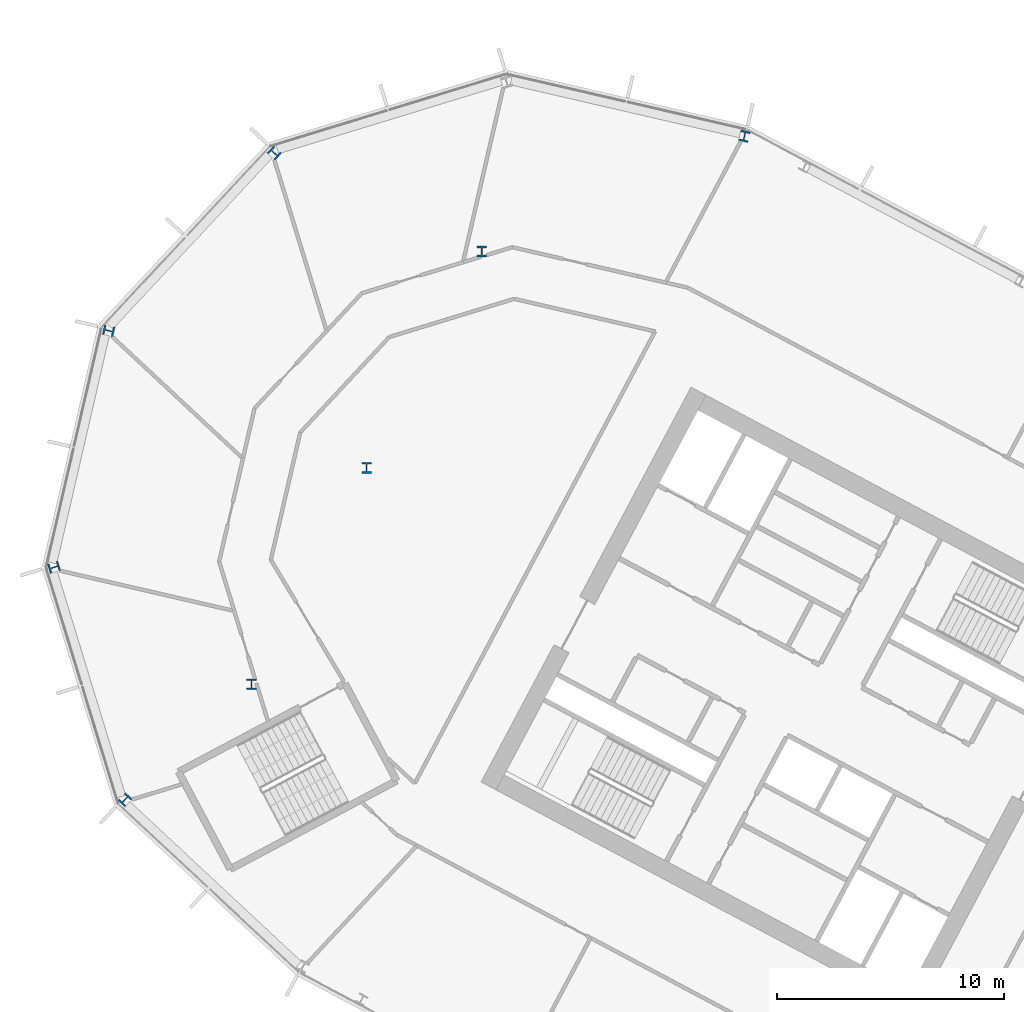
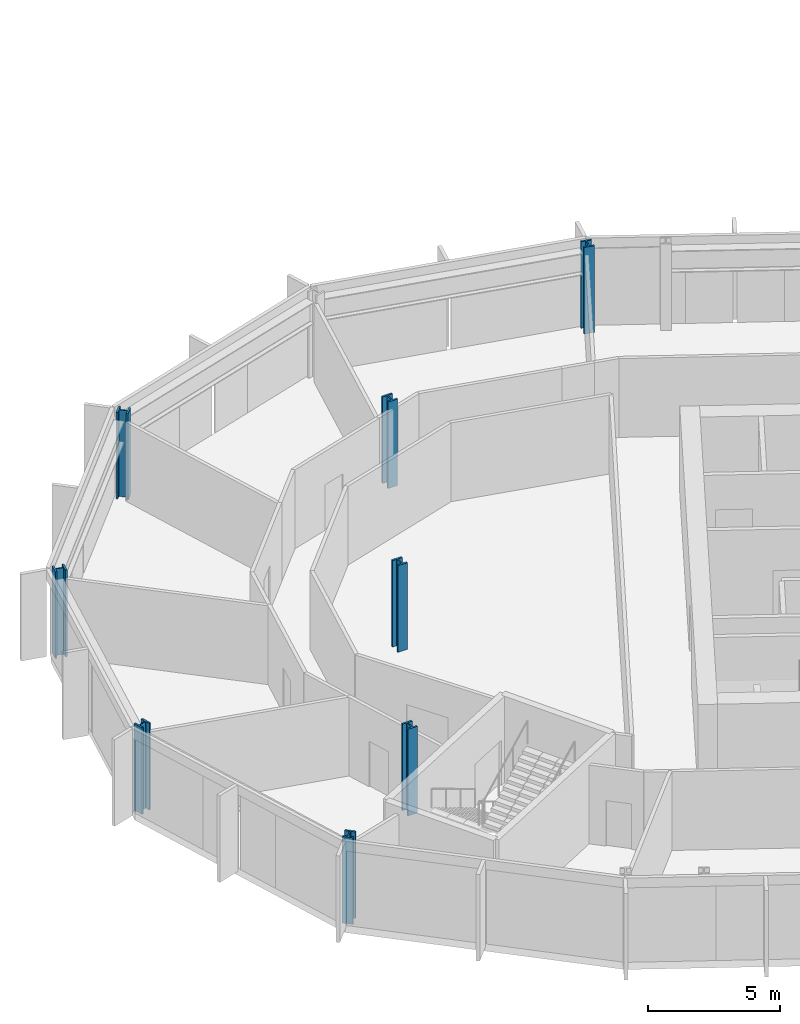
# One storey, part 3 of 28: 8 columns.
"""IFC4 building model written with IfcOpenShell, lengths in metres."""

from ifc_helpers import new_model, si_unit, direction, frame, origin, origin_2d, place, context, subcontext, project, spatial, i_section, extrude, material, material_profile, profile_set, type_object, element, save


model = new_model("IFC4")

# Units and contexts
model_context = context("Model", 3, precision=1e-05, world=origin(), true_north=direction((0.0, 1.0)))
body_context = subcontext(model_context, "Body", "Model", "MODEL_VIEW")
ifc_project = project(units=[si_unit("LENGTHUNIT", "METRE"), si_unit("AREAUNIT", "SQUARE_METRE"), si_unit("VOLUMEUNIT", "CUBIC_METRE"), si_unit("PLANEANGLEUNIT", "RADIAN"), si_unit("MASSUNIT", "GRAM", prefix="KILO")], contexts=[model_context])

# Site, building, storey
site_placement = place(None, origin())
site = spatial("IfcSite", under=ifc_project, at=site_placement, CompositionType="ELEMENT")
building_placement = place(site_placement, origin())
building = spatial("IfcBuilding", under=site, at=building_placement, Name="Cormorant Relay Tower", CompositionType="ELEMENT")
storey_placement = place(building_placement, frame((0.0, 0.0, 146.199951171875)))
storey = spatial("IfcBuildingStorey", under=building, at=storey_placement, Name="L30", CompositionType="ELEMENT", Elevation=146.199951171875)

# Columns
ifc_material = material(Name="Steel ASTM A992 (Fy 345 MPa)", Category="steel")
ifc_material_profile = material_profile(ifc_material, i_section(OverallWidth=0.42431640625, OverallDepth=0.47509765625, WebThickness=0.0478515625, FlangeThickness=0.0771484375, FilletRadius=0.014892578125, at=origin_2d()), Name="W360x634")
ifc_profile_set = profile_set([ifc_material_profile], Name="Steel ASTM A992 (Fy 345 MPa)")
column_type = type_object("IfcColumnType", Name="Column W360x634", PredefinedType="COLUMN", material=ifc_profile_set)
for number, where, z_axis, x_axis, name in (
    (1, (-57.261962890625, 10.173095703125, 0.0), (0.0, 0.0, 1.0), (0.731353701619, -0.681998360062, 0.0), "Column L30-022"),
    (2, (-51.68994140625, 15.251953125, 0.0), (0.0, 0.0, 1.0), (1.0, 0.0, 0.0), "Column L30-028"),
    (3, (-60.389892578125, 20.405029296875, 0.0), (0.0, 0.0, 1.0), (0.292371704723, -0.956304755963, 0.0), "Column L30-030"),
    (4, (-46.6201171875, 24.7880859375, 0.0), (0.0, 0.0, 1.0), (1.0, 0.0, 0.0), "Column L30-033"),
    (5, (-57.98291015625, 30.830078125, 0.0), (0.0, 0.0, 1.0), (-0.224951054344, -0.974370064785, 0.0), "Column L30-037"),
    (6, (-41.549072265625, 34.323974609375, 0.0), (0.0, 0.0, 1.0), (1.0, 0.0, 0.0), "Column L30-041"),
    (7, (-50.68603515625, 38.655029296875, 0.0), (0.0, 0.0, 1.0), (-0.681998360062, -0.731353701619, 0.0), "Column L30-045"),
    (8, (-29.97509765625, 39.39599609375, 0.0), (0.0, 0.0, 1.0), (-0.974370064785, 0.224951054344, 0.0), "Column L30-046"),
):
    element("IfcColumn", number, at=place(storey_placement, frame(where, z_axis=z_axis, x_axis=x_axis)), inside=storey, type_object=column_type, Name=name, PredefinedType="COLUMN", context=body_context, shape_type="SweptSolid", body=[
        extrude(i_section(OverallWidth=0.42431640625, OverallDepth=0.47509765625, WebThickness=0.0478515625, FlangeThickness=0.0771484375, FilletRadius=0.014892578125, at=origin_2d()), origin(), (0.0, 0.0, 1.0), 4.0),
    ])

save(model, "model.ifc")
